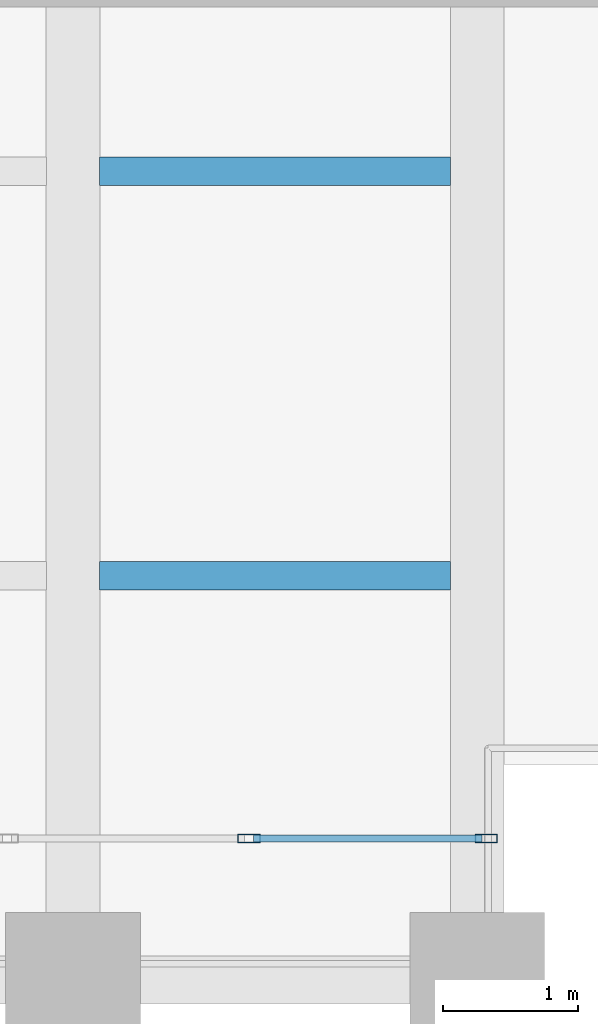
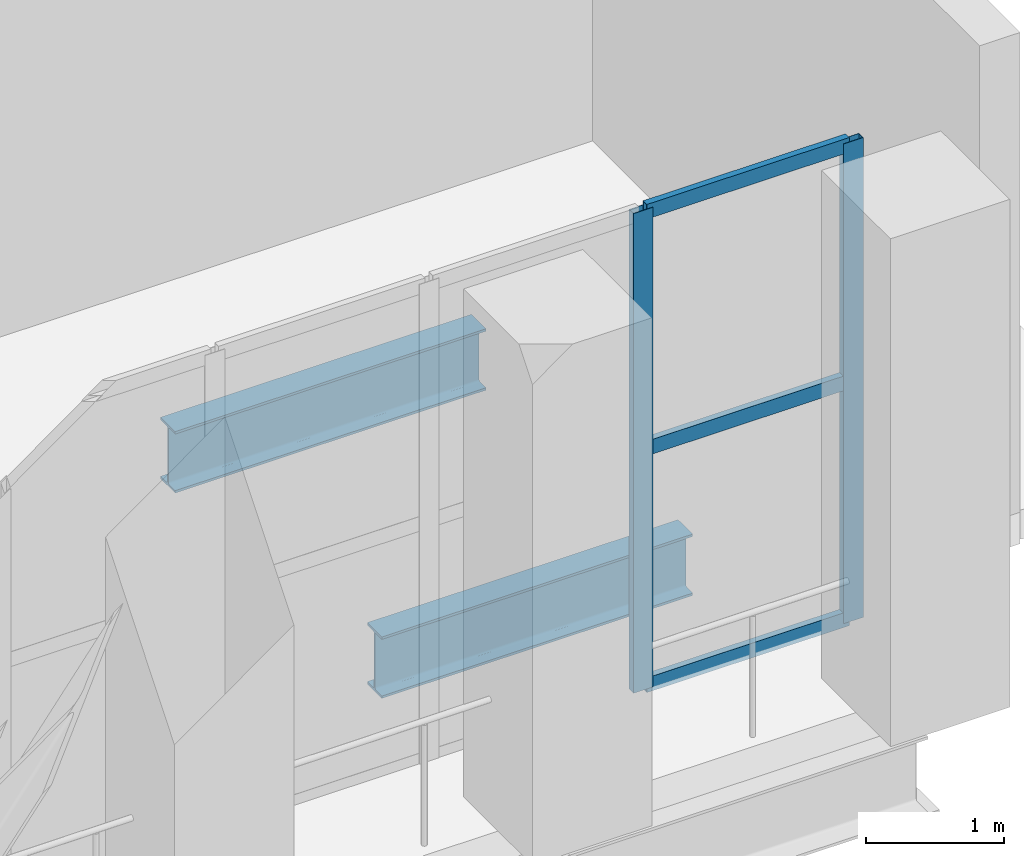
# One storey, part 15 of 27: 5 members, 2 beams, 1 element without a shape of its own.
"""IFC4 building model written with IfcOpenShell, lengths in metres."""

from ifc_helpers import new_model, si_unit, direction, frame, origin, origin_2d, place, context, subcontext, project, spatial, hollow_rectangle, i_section, extrude, material, layer, layer_set, material_profile, profile_set, type_object, element, aggregate, save


model = new_model("IFC4")

# Units and contexts
model_context = context("Model", 3, precision=1e-05, world=origin(), true_north=direction((0.0, 1.0)))
body_context = subcontext(model_context, "Body", "Model", "MODEL_VIEW")
ifc_project = project(units=[si_unit("LENGTHUNIT", "METRE"), si_unit("AREAUNIT", "SQUARE_METRE"), si_unit("VOLUMEUNIT", "CUBIC_METRE"), si_unit("PLANEANGLEUNIT", "RADIAN"), si_unit("MASSUNIT", "GRAM", prefix="KILO")], contexts=[model_context])

# Site, building, storey
site_placement = place(None, origin())
site = spatial("IfcSite", under=ifc_project, at=site_placement, CompositionType="ELEMENT")
building_placement = place(site_placement, origin())
building = spatial("IfcBuilding", under=site, at=building_placement, Name="Mawjdan Bourse Tower", CompositionType="ELEMENT")
storey_placement = place(building_placement, frame((0.0, 0.0, 155.699951171875)))
storey = spatial("IfcBuildingStorey", under=building, at=storey_placement, Name="L37", CompositionType="ELEMENT", Elevation=155.699951171875)

# Beams
ifc_material_1 = material(Name="Structural Steel S355", Category="steel")
ifc_material_profile_1 = material_profile(ifc_material_1, i_section(OverallWidth=0.2119140625, OverallDepth=0.5439453125, WebThickness=0.01318359375, FlangeThickness=0.021240234375, FilletRadius=0.01708984375, at=origin_2d()), Name="W21X83")
ifc_profile_set_1 = profile_set([ifc_material_profile_1], Name="Structural Steel S355")
beam_type = type_object("IfcBeamType", Name="JST-W21X83", PredefinedType="JOIST", material=ifc_profile_set_1)
for number, where, z_axis, x_axis, name in (
    (1, (54.197509765625, 6.0, -0.552001953125), (1.0, 0.0, 0.0), (0.0, 1.0, 0.0), "L37 East Wing Composite Joist 025"),
    (2, (54.197509765625, 9.0, -0.552001953125), (1.0, 0.0, 0.0), (0.0, 1.0, 0.0), "L37 East Wing Composite Joist 031"),
):
    element("IfcBeam", number, at=place(storey_placement, frame(where, z_axis=z_axis, x_axis=x_axis)), inside=storey, type_object=beam_type, Name=name, PredefinedType="JOIST", context=body_context, shape_type="SweptSolid", body=[
        extrude(i_section(OverallWidth=0.2119140625, OverallDepth=0.5439453125, WebThickness=0.01318359375, FlangeThickness=0.021240234375, FilletRadius=0.01708984375, at=origin_2d()), origin(), (0.0, 0.0, 1.0), 2.60498046875),
    ])

# Curtain wall, members
ifc_material_2 = material(Name="Thermally Broken Aluminium and Solar Glass", Category="aluminium")
ifc_layer = layer(ifc_material_2, 0.219970703125)
ifc_layer_set = layer_set([ifc_layer], Name="Thermally Broken Aluminium and Solar Glass")
curtain_wall_type = type_object("IfcCurtainWallType", Name="CW-RFG", PredefinedType="USERDEFINED", material=ifc_layer_set)
curtain_wall_placement = place(storey_placement, origin())
curtain_wall = element("IfcCurtainWall", 3, at=curtain_wall_placement, inside=storey, type_object=curtain_wall_type, Name="L37 Refuge Band South Louvre Curtain Wall", ObjectType="REFUGE BAND LOUVRE SCREEN", PredefinedType="USERDEFINED")
ifc_material_3 = material(Name="Thermally Broken Anodised Aluminium", Category="aluminium")
ifc_material_profile_2 = material_profile(ifc_material_3, hollow_rectangle(XDim=0.06494140625, YDim=0.1650390625, WallThickness=0.00390625, at=origin_2d()), Name="ALU-MUL-165X65")
ifc_profile_set_2 = profile_set([ifc_material_profile_2], Name="Thermally Broken Anodised Aluminium")
member_type_1 = type_object("IfcMemberType", Name="MUL-ALU-MUL-165X65", PredefinedType="MULLION", material=ifc_profile_set_2)
member_1_placement = place(storey_placement, frame((55.3056640625, 4.050048828125, 0.0), z_axis=(0.0, 0.0, 1.0), x_axis=(0.0, 1.0, 0.0)))
member_1 = element("IfcMember", 4, at=member_1_placement, type_object=member_type_1, Name="CW-RFG-L37-RFG-S mullion 18", PredefinedType="MULLION", context=body_context, shape_type="SweptSolid", body=[
    extrude(hollow_rectangle(XDim=0.06494140625, YDim=0.1650390625, WallThickness=0.00390625, at=origin_2d()), origin(), (0.0, 0.0, 1.0), 4.25),
])
member_2_placement = place(storey_placement, frame((57.0673828125, 4.050048828125, 0.0), z_axis=(0.0, 0.0, 1.0), x_axis=(0.0, 1.0, 0.0)))
member_2 = element("IfcMember", 5, at=member_2_placement, type_object=member_type_1, Name="CW-RFG-L37-RFG-S mullion 19", PredefinedType="MULLION", context=body_context, shape_type="SweptSolid", body=[
    extrude(hollow_rectangle(XDim=0.06494140625, YDim=0.1650390625, WallThickness=0.00390625, at=origin_2d()), origin(), (0.0, 0.0, 1.0), 4.25),
])
ifc_material_profile_3 = material_profile(ifc_material_3, hollow_rectangle(XDim=0.054931640625, YDim=0.1298828125, WallThickness=0.00341796875, at=origin_2d()), Name="ALU-TRN-130X55")
ifc_profile_set_3 = profile_set([ifc_material_profile_3], Name="Thermally Broken Anodised Aluminium")
member_type_2 = type_object("IfcMemberType", Name="TRN-ALU-TRN-130X55", PredefinedType="USERDEFINED", material=ifc_profile_set_3)
member_3_placement = place(storey_placement, frame((55.338134765625, 4.050048828125, 0.027587890625), z_axis=(1.0, 0.0, 0.0), x_axis=(0.0, 1.0, 0.0)))
member_3 = element("IfcMember", 6, at=member_3_placement, type_object=member_type_2, Name="CW-RFG-L37-RFG-S transom 18.1", ObjectType="TRANSOM", PredefinedType="USERDEFINED", context=body_context, shape_type="SweptSolid", body=[
    extrude(hollow_rectangle(XDim=0.054931640625, YDim=0.1298828125, WallThickness=0.00341796875, at=origin_2d()), origin(), (0.0, 0.0, 1.0), 1.69677734375),
])
member_4_placement = place(storey_placement, frame((55.338134765625, 4.050048828125, 2.125), z_axis=(1.0, 0.0, 0.0), x_axis=(0.0, 1.0, 0.0)))
member_4 = element("IfcMember", 7, at=member_4_placement, type_object=member_type_2, Name="CW-RFG-L37-RFG-S transom 18.2", ObjectType="TRANSOM", PredefinedType="USERDEFINED", context=body_context, shape_type="SweptSolid", body=[
    extrude(hollow_rectangle(XDim=0.054931640625, YDim=0.1298828125, WallThickness=0.00341796875, at=origin_2d()), origin(), (0.0, 0.0, 1.0), 1.69677734375),
])
member_5_placement = place(storey_placement, frame((55.338134765625, 4.050048828125, 4.22265625), z_axis=(1.0, 0.0, 0.0), x_axis=(0.0, 1.0, 0.0)))
member_5 = element("IfcMember", 8, at=member_5_placement, type_object=member_type_2, Name="CW-RFG-L37-RFG-S transom 18.3", ObjectType="TRANSOM", PredefinedType="USERDEFINED", context=body_context, shape_type="SweptSolid", body=[
    extrude(hollow_rectangle(XDim=0.054931640625, YDim=0.1298828125, WallThickness=0.00341796875, at=origin_2d()), origin(), (0.0, 0.0, 1.0), 1.69677734375),
])
aggregate(curtain_wall, [member_1, member_2, member_3, member_4, member_5])

save(model, "model.ifc")
